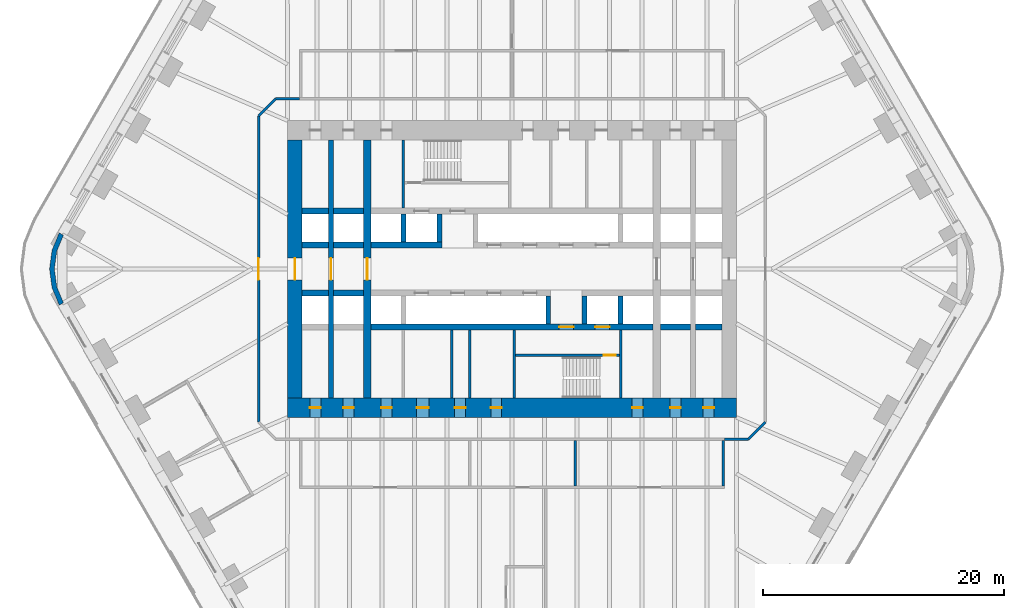
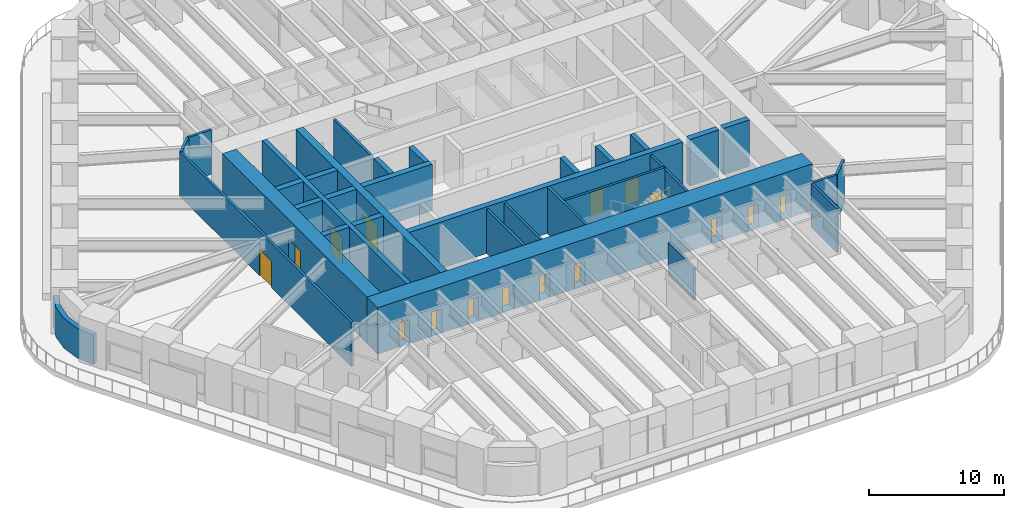
# One storey, part 17 of 23: 33 walls, 16 doors, 16 openings.
"""IFC4 building model written with IfcOpenShell, lengths in metres."""

from ifc_helpers import new_model, si_unit, direction, frame, frame_2d, origin, place, context, subcontext, project, spatial, polyline, rectangle, outline, extrude, material, layer, layer_set, type_object, element, fill, save


model = new_model("IFC4")

# Units and contexts
model_context = context("Model", 3, precision=1e-05, world=origin(), true_north=direction((0.0, 1.0)))
body_context = subcontext(model_context, "Body", "Model", "MODEL_VIEW")
ifc_project = project(units=[si_unit("LENGTHUNIT", "METRE"), si_unit("AREAUNIT", "SQUARE_METRE"), si_unit("VOLUMEUNIT", "CUBIC_METRE"), si_unit("PLANEANGLEUNIT", "RADIAN"), si_unit("MASSUNIT", "GRAM", prefix="KILO")], contexts=[model_context])

# Site, building, storey
site_placement = place(None, origin())
site = spatial("IfcSite", under=ifc_project, at=site_placement, CompositionType="ELEMENT")
building_placement = place(site_placement, origin())
building = spatial("IfcBuilding", under=site, at=building_placement, Name="Tarfa Lantern Tower", CompositionType="ELEMENT")
storey_placement = place(building_placement, frame((0.0, 0.0, 27.699951171875)))
storey = spatial("IfcBuildingStorey", under=building, at=storey_placement, Name="L05", CompositionType="ELEMENT", Elevation=27.699951171875)

# Walls
ifc_material_1 = material(Name="Limestone cladding on blockwork", Category="masonry")
ifc_layer_1 = layer(ifc_material_1, 0.39990234375)
ifc_layer_set_1 = layer_set([ifc_layer_1], Name="EW2 CURVED STONE CORNER 400")
wall_type_1 = type_object("IfcWallType", Name="EW2 CURVED STONE CORNER 400", PredefinedType="SOLIDWALL", material=ifc_layer_set_1)
wall_1_placement = place(storey_placement, origin())
element("IfcWall", 1, at=wall_1_placement, inside=storey, type_object=wall_type_1, Name="Stone corner NW-SW", PredefinedType="SOLIDWALL", context=body_context, shape_type="SweptSolid", body=[
    extrude(outline(polyline([(-37.52783203125, 3.0), (-38.127197265625, 1.552978515625), (-38.33154296875, 0.0), (-38.127197265625, -1.552978515625), (-37.52783203125, -3.0), (-37.181396484375, -2.800048828125), (-37.74072265625, -1.449462890625), (-37.931640625, 0.0), (-37.74072265625, 1.449462890625), (-37.181396484375, 2.800048828125), (-37.52783203125, 3.0)])), origin(), (0.0, 0.0, 1.0), 2.699951171875),
])
ifc_material_2 = material(Name="Concrete blockwork", Category="masonry")
ifc_layer_2 = layer(ifc_material_2, 0.199951171875)
ifc_layer_set_2 = layer_set([ifc_layer_2], Name="IW1 BLOCKWORK PARTITION 200 EI 120")
wall_type_2 = type_object("IfcWallType", Name="IW1 BLOCKWORK PARTITION 200 EI 120", PredefinedType="PARTITIONING", material=ifc_layer_set_2)
for number, where, z_axis, x_axis, name in (
    (2, (-9.0, 5.050048828125, 0.0), (0.0, 0.0, 1.0), (0.0, 1.0, 0.0), "Core partition"),
    (3, (9.0, -5.050048828125, 0.0), (0.0, 0.0, 1.0), (0.0, -1.0, 0.0), "Core partition"),
    (4, (-3.5, -5.050048828125, 0.0), (0.0, 0.0, 1.0), (0.0, -1.0, 0.0), "Core partition"),
    (5, (-5.0, -5.050048828125, 0.0), (0.0, 0.0, 1.0), (0.0, -1.0, 0.0), "Core partition"),
):
    element("IfcWall", number, at=place(storey_placement, frame(where, z_axis=z_axis, x_axis=x_axis)), inside=storey, type_object=wall_type_2, Name=name, PredefinedType="PARTITIONING", context=body_context, shape_type="SweptSolid", body=[
        extrude(rectangle(XDim=5.64990234375, YDim=0.199951171875, at=frame_2d((2.824951171875, 0.0))), origin(), (0.0, 0.0, 1.0), 4.0),
    ])
ifc_material_3 = material(Name="Gypsum board on steel studs", Category="steel")
ifc_layer_3 = layer(ifc_material_3, 0.2099609375)
ifc_layer_set_3 = layer_set([ifc_layer_3], Name="IW2 ACOUSTIC PARTITION 200")
wall_type_3 = type_object("IfcWallType", Name="IW2 ACOUSTIC PARTITION 200", PredefinedType="PARTITIONING", material=ifc_layer_set_3)
wall_2_placement = place(storey_placement, frame((17.5, -14.199951171875, 0.0), z_axis=(0.0, 0.0, 1.0), x_axis=(0.0, -1.0, 0.0)))
element("IfcWall", 6, at=wall_2_placement, inside=storey, type_object=wall_type_3, Name="Partition", PredefinedType="PARTITIONING", context=body_context, shape_type="SweptSolid", body=[
    extrude(rectangle(XDim=3.800048828125, YDim=0.199951171875, at=frame_2d((1.89990234375, 0.0))), origin(), (0.0, 0.0, 1.0), 4.0),
])
wall_3_placement = place(storey_placement, frame((5.25, -14.199951171875, 0.0), z_axis=(0.0, 0.0, 1.0), x_axis=(0.0, -1.0, 0.0)))
element("IfcWall", 7, at=wall_3_placement, inside=storey, type_object=wall_type_3, Name="Partition", PredefinedType="PARTITIONING", context=body_context, shape_type="SweptSolid", body=[
    extrude(rectangle(XDim=3.800048828125, YDim=0.199951171875, at=frame_2d((1.89990234375, 0.0))), origin(), (0.0, 0.0, 1.0), 2.944091796875),
])
wall_4_placement = place(storey_placement, frame((-19.60009765625, 14.10009765625, 0.0), z_axis=(0.0, 0.0, 1.0), x_axis=(1.0, 0.0, 0.0)))
element("IfcWall", 8, at=wall_4_placement, inside=storey, type_object=wall_type_3, Name="Partition", PredefinedType="PARTITIONING", context=body_context, shape_type="SweptSolid", body=[
    extrude(rectangle(XDim=2.0, YDim=0.199951171875, at=frame_2d((1.0, 0.0))), origin(), (0.0, 0.0, 1.0), 4.0),
])
wall_5_placement = place(storey_placement, frame((21.0, -12.699951171875, 0.0), z_axis=(0.0, 0.0, 1.0), x_axis=(-0.707045124756, -0.707168432242, 0.0)))
element("IfcWall", 9, at=wall_5_placement, inside=storey, type_object=wall_type_3, Name="Partition", PredefinedType="PARTITIONING", context=body_context, shape_type="SweptSolid", body=[
    extrude(rectangle(XDim=1.97998046875, YDim=0.199951171875, at=frame_2d((0.989990234375, 0.0))), origin(), (0.0, 0.0, 1.0), 4.0),
])
wall_6_placement = place(storey_placement, frame((19.60009765625, -14.10009765625, 0.0), z_axis=(0.0, 0.0, 1.0), x_axis=(-1.0, 0.0, 0.0)))
element("IfcWall", 10, at=wall_6_placement, inside=storey, type_object=wall_type_3, Name="Partition", PredefinedType="PARTITIONING", context=body_context, shape_type="SweptSolid", body=[
    extrude(rectangle(XDim=2.0, YDim=0.199951171875, at=frame_2d((1.0, 0.0))), origin(), (0.0, 0.0, 1.0), 4.0),
])

# Wall, opening, door
wall_7_placement = place(storey_placement, frame((-21.0, -12.699951171875, 0.0), z_axis=(0.0, 0.0, 1.0), x_axis=(0.0, 1.0, 0.0)))
wall_7 = element("IfcWall", 11, at=wall_7_placement, inside=storey, type_object=wall_type_3, Name="Partition", PredefinedType="PARTITIONING", context=body_context, shape_type="SweptSolid", body=[
    extrude(rectangle(XDim=25.39990234375, YDim=0.199951171875, at=frame_2d((12.699951171875, 0.0))), origin(), (0.0, 0.0, 1.0), 4.0),
])
opening_1_placement = place(wall_7_placement, frame((11.800048828125, 0.0, 0.0)))
opening_1 = element("IfcOpeningElement", 12, at=opening_1_placement, cuts=wall_7, Name="Opening D39", PredefinedType="OPENING", context=body_context, shape_type="SweptSolid", body=[
    extrude(rectangle(XDim=1.800048828125, YDim=2.39990234375, at=frame_2d((0.89990234375, 1.199951171875))), frame((0.0, 0.10986328125, 0.0), z_axis=(0.0, -1.0, 0.0), x_axis=(1.0, 0.0, 0.0)), (0.0, 0.0, 1.0), 0.219970703125),
])
ifc_material_4 = material(Name="Timber door", Category="wood")
door_type_1 = type_object("IfcDoorType", Name="DR2 ROOM DOOR 1800x2400", OperationType="DOUBLE_DOOR_SINGLE_SWING", PredefinedType="DOOR", material=ifc_material_4)
door_1_placement = place(opening_1_placement, origin())
door_1 = element("IfcDoor", 13, at=door_1_placement, inside=storey, type_object=door_type_1, Name="Corridor door", OperationType="DOUBLE_DOOR_SINGLE_SWING", OverallHeight=2.39990234375, OverallWidth=1.800048828125, PredefinedType="DOOR", context=body_context, shape_type="SweptSolid", body=[
    extrude(rectangle(XDim=1.800048828125, YDim=2.39990234375, at=frame_2d((0.89990234375, 1.199951171875))), frame((0.0, 0.02490234375, 0.0), z_axis=(0.0, -1.0, 0.0), x_axis=(1.0, 0.0, 0.0)), (0.0, 0.0, 1.0), 0.050048828125),
])
fill(opening_1, door_1)

# Wall
wall_8_placement = place(storey_placement, frame((-21.0, 12.699951171875, 0.0), z_axis=(0.0, 0.0, 1.0), x_axis=(0.707045124756, 0.707168432242, 0.0)))
element("IfcWall", 14, at=wall_8_placement, inside=storey, type_object=wall_type_3, Name="Partition", PredefinedType="PARTITIONING", context=body_context, shape_type="SweptSolid", body=[
    extrude(rectangle(XDim=1.97998046875, YDim=0.199951171875, at=frame_2d((0.989990234375, 0.0))), origin(), (0.0, 0.0, 1.0), 4.0),
])

# Wall, opening, door
ifc_material_5 = material(Name="Concrete C80/95", Category="concrete")
ifc_layer_4 = layer(ifc_material_5, 1.199951171875)
ifc_layer_set_4 = layer_set([ifc_layer_4], Name="SW1 CORE WALL 1200")
wall_type_4 = type_object("IfcWallType", Name="SW1 CORE WALL 1200", PredefinedType="SHEAR", material=ifc_layer_set_4)
wall_9_placement = place(storey_placement, frame((-18.0, 10.699951171875, 0.0), z_axis=(0.0, 0.0, 1.0), x_axis=(0.0, -1.0, 0.0)))
wall_9 = element("IfcWall", 15, at=wall_9_placement, inside=storey, type_object=wall_type_4, Name="Core wall W", PredefinedType="SHEAR", context=body_context, shape_type="SweptSolid", body=[
    extrude(rectangle(XDim=21.39990234375, YDim=1.199951171875, at=frame_2d((10.699951171875, 0.0))), origin(), (0.0, 0.0, 1.0), 4.199951171875),
])
opening_2_placement = place(wall_9_placement, frame((9.800048828125, 0.0, 0.0)))
opening_2 = element("IfcOpeningElement", 16, at=opening_2_placement, cuts=wall_9, Name="Opening D16", PredefinedType="OPENING", context=body_context, shape_type="SweptSolid", body=[
    extrude(rectangle(XDim=1.800048828125, YDim=2.39990234375, at=frame_2d((0.89990234375, 1.199951171875))), frame((0.0, 0.60986328125, 0.0), z_axis=(0.0, -1.0, 0.0), x_axis=(1.0, 0.0, 0.0)), (0.0, 0.0, 1.0), 1.219970703125),
])
ifc_material_6 = material(Name="Steel fire door", Category="steel")
door_type_2 = type_object("IfcDoorType", Name="DL1 LOBBY DOOR 1800x2400", OperationType="DOUBLE_DOOR_SINGLE_SWING", PredefinedType="DOOR", material=ifc_material_6)
door_2_placement = place(opening_2_placement, frame((1.800048828125, 0.0, 0.0), z_axis=(0.0, 0.0, 1.0), x_axis=(-1.0, 0.0, 0.0)))
door_2 = element("IfcDoor", 17, at=door_2_placement, inside=storey, type_object=door_type_2, Name="Lift lobby door", OperationType="DOUBLE_DOOR_SINGLE_SWING", OverallHeight=2.39990234375, OverallWidth=1.800048828125, PredefinedType="DOOR", context=body_context, shape_type="SweptSolid", body=[
    extrude(rectangle(XDim=1.800048828125, YDim=2.39990234375, at=frame_2d((0.89990234375, 1.199951171875))), frame((0.0, 0.02490234375, 0.0), z_axis=(0.0, -1.0, 0.0), x_axis=(1.0, 0.0, 0.0)), (0.0, 0.0, 1.0), 0.050048828125),
])
fill(opening_2, door_2)

# Wall
ifc_layer_5 = layer(ifc_material_5, 0.199951171875)
ifc_layer_set_5 = layer_set([ifc_layer_5], Name="SW12 CORE WALL 200")
wall_type_5 = type_object("IfcWallType", Name="SW12 CORE WALL 200", PredefinedType="SHEAR", material=ifc_layer_set_5)
wall_10_placement = place(storey_placement, frame((0.199951171875, -5.050048828125, 0.0), z_axis=(0.0, 0.0, 1.0), x_axis=(0.0, -1.0, 0.0)))
element("IfcWall", 18, at=wall_10_placement, inside=storey, type_object=wall_type_5, Name="Core wall stair shaft S", PredefinedType="SHEAR", context=body_context, shape_type="SweptSolid", body=[
    extrude(rectangle(XDim=5.64990234375, YDim=0.199951171875, at=frame_2d((2.824951171875, 0.0))), origin(), (0.0, 0.0, 1.0), 4.199951171875),
])

# Wall, opening, door
wall_11_placement = place(storey_placement, frame((8.89990234375, -7.14990234375, 0.0), z_axis=(0.0, 0.0, 1.0), x_axis=(-1.0, 0.0, 0.0)))
wall_11 = element("IfcWall", 19, at=wall_11_placement, inside=storey, type_object=wall_type_5, Name="Core wall stair partition S", PredefinedType="SHEAR", context=body_context, shape_type="SweptSolid", body=[
    extrude(rectangle(XDim=8.599853515625, YDim=0.199951171875, at=frame_2d((4.2998046875, 0.0))), origin(), (0.0, 0.0, 1.0), 4.199951171875),
])
opening_3_placement = place(wall_11_placement, frame((0.300048828125, 0.0, 0.0)))
opening_3 = element("IfcOpeningElement", 20, at=opening_3_placement, cuts=wall_11, Name="Opening D24", PredefinedType="OPENING", context=body_context, shape_type="SweptSolid", body=[
    extrude(rectangle(XDim=1.0, YDim=2.199951171875, at=frame_2d((0.5, 1.10009765625))), frame((0.0, 0.10986328125, 0.0), z_axis=(0.0, -1.0, 0.0), x_axis=(1.0, 0.0, 0.0)), (0.0, 0.0, 1.0), 0.219970703125),
])
door_type_3 = type_object("IfcDoorType", Name="DF2 STAIR DOOR 1000x2200", OperationType="SINGLE_SWING_LEFT", PredefinedType="DOOR", material=ifc_material_6)
door_3_placement = place(opening_3_placement, origin())
door_3 = element("IfcDoor", 21, at=door_3_placement, inside=storey, type_object=door_type_3, Name="Stair door", OperationType="SINGLE_SWING_RIGHT", OverallHeight=2.199951171875, OverallWidth=1.0, PredefinedType="DOOR", context=body_context, shape_type="SweptSolid", body=[
    extrude(rectangle(XDim=1.0, YDim=2.199951171875, at=frame_2d((0.5, 1.10009765625))), frame((0.0, 0.02490234375, 0.0), z_axis=(0.0, -1.0, 0.0), x_axis=(1.0, 0.0, 0.0)), (0.0, 0.0, 1.0), 0.050048828125),
])
fill(opening_3, door_3)

# Walls
ifc_layer_6 = layer(ifc_material_5, 0.5)
ifc_layer_set_6 = layer_set([ifc_layer_6], Name="SW5 CORE WALL 500")
wall_type_6 = type_object("IfcWallType", Name="SW5 CORE WALL 500", PredefinedType="SHEAR", material=ifc_layer_set_6)
wall_12_placement = place(storey_placement, frame((-17.39990234375, 2.0, 0.0), z_axis=(0.0, 0.0, 1.0), x_axis=(1.0, 0.0, 0.0)))
element("IfcWall", 22, at=wall_12_placement, inside=storey, type_object=wall_type_6, Name="Core wall lobby west N", PredefinedType="SHEAR", context=body_context, shape_type="SweptSolid", body=[
    extrude(rectangle(XDim=2.199951171875, YDim=0.5, at=frame_2d((1.10009765625, 0.0))), origin(), (0.0, 0.0, 1.0), 4.199951171875),
])
wall_13_placement = place(storey_placement, frame((-14.800048828125, 2.0, 0.0), z_axis=(0.0, 0.0, 1.0), x_axis=(1.0, 0.0, 0.0)))
element("IfcWall", 23, at=wall_13_placement, inside=storey, type_object=wall_type_6, Name="Core wall lobby west N", PredefinedType="SHEAR", context=body_context, shape_type="SweptSolid", body=[
    extrude(rectangle(XDim=2.5, YDim=0.5, at=frame_2d((1.25, 0.0))), origin(), (0.0, 0.0, 1.0), 4.199951171875),
])
wall_14_placement = place(storey_placement, frame((-11.699951171875, 2.0, 0.0), z_axis=(0.0, 0.0, 1.0), x_axis=(1.0, 0.0, 0.0)))
element("IfcWall", 24, at=wall_14_placement, inside=storey, type_object=wall_type_6, Name="Core wall lobby west N", PredefinedType="SHEAR", context=body_context, shape_type="SweptSolid", body=[
    extrude(rectangle(XDim=5.89990234375, YDim=0.5, at=frame_2d((2.949951171875, 0.0))), origin(), (0.0, 0.0, 1.0), 4.199951171875),
])
wall_15_placement = place(storey_placement, frame((-17.39990234375, 4.800048828125, 0.0), z_axis=(0.0, 0.0, 1.0), x_axis=(1.0, 0.0, 0.0)))
element("IfcWall", 25, at=wall_15_placement, inside=storey, type_object=wall_type_6, Name="Core wall rear N", PredefinedType="SHEAR", context=body_context, shape_type="SweptSolid", body=[
    extrude(rectangle(XDim=2.199951171875, YDim=0.5, at=frame_2d((1.10009765625, 0.0))), origin(), (0.0, 0.0, 1.0), 4.199951171875),
])
for number, where, z_axis, x_axis, name in (
    (26, (-14.800048828125, 4.800048828125, 0.0), (0.0, 0.0, 1.0), (1.0, 0.0, 0.0), "Core wall rear N"),
    (27, (-12.300048828125, -2.0, 0.0), (0.0, 0.0, 1.0), (-1.0, 0.0, 0.0), "Core wall lobby east S"),
):
    element("IfcWall", number, at=place(storey_placement, frame(where, z_axis=z_axis, x_axis=x_axis)), inside=storey, type_object=wall_type_6, Name=name, PredefinedType="SHEAR", context=body_context, shape_type="SweptSolid", body=[
        extrude(rectangle(XDim=2.5, YDim=0.5, at=frame_2d((1.25, 0.0))), origin(), (0.0, 0.0, 1.0), 4.199951171875),
    ])
for number, where, z_axis, x_axis, name in (
    (28, (-15.199951171875, -2.0, 0.0), (0.0, 0.0, 1.0), (-1.0, 0.0, 0.0), "Core wall lobby east S"),
    (29, (17.39990234375, -4.800048828125, 0.0), (0.0, 0.0, 1.0), (-1.0, 0.0, 0.0), "Core wall rear S"),
):
    element("IfcWall", number, at=place(storey_placement, frame(where, z_axis=z_axis, x_axis=x_axis)), inside=storey, type_object=wall_type_6, Name=name, PredefinedType="SHEAR", context=body_context, shape_type="SweptSolid", body=[
        extrude(rectangle(XDim=2.199951171875, YDim=0.5, at=frame_2d((1.10009765625, 0.0))), origin(), (0.0, 0.0, 1.0), 4.199951171875),
    ])
wall_16_placement = place(storey_placement, frame((14.800048828125, -4.800048828125, 0.0), z_axis=(0.0, 0.0, 1.0), x_axis=(-1.0, 0.0, 0.0)))
element("IfcWall", 30, at=wall_16_placement, inside=storey, type_object=wall_type_6, Name="Core wall rear S", PredefinedType="SHEAR", context=body_context, shape_type="SweptSolid", body=[
    extrude(rectangle(XDim=2.5, YDim=0.5, at=frame_2d((1.25, 0.0))), origin(), (0.0, 0.0, 1.0), 4.199951171875),
])

# Wall, openings, doors
wall_17_placement = place(storey_placement, frame((11.699951171875, -4.800048828125, 0.0), z_axis=(0.0, 0.0, 1.0), x_axis=(-1.0, 0.0, 0.0)))
wall_17 = element("IfcWall", 31, at=wall_17_placement, inside=storey, type_object=wall_type_6, Name="Core wall rear S", PredefinedType="SHEAR", context=body_context, shape_type="SweptSolid", body=[
    extrude(rectangle(XDim=23.39990234375, YDim=0.5, at=frame_2d((11.699951171875, 0.0))), origin(), (0.0, 0.0, 1.0), 4.199951171875),
])
opening_4_placement = place(wall_17_placement, frame((6.60009765625, 0.0, 0.0)))
opening_4 = element("IfcOpeningElement", 32, at=opening_4_placement, cuts=wall_17, Name="Opening D14", PredefinedType="OPENING", context=body_context, shape_type="SweptSolid", body=[
    extrude(rectangle(XDim=1.199951171875, YDim=2.199951171875, at=frame_2d((0.60009765625, 1.10009765625))), frame((0.0, 0.260009765625, 0.0), z_axis=(0.0, -1.0, 0.0), x_axis=(1.0, 0.0, 0.0)), (0.0, 0.0, 1.0), 0.52001953125),
])
opening_5_placement = place(wall_17_placement, frame((3.60009765625, 0.0, 0.0)))
opening_5 = element("IfcOpeningElement", 33, at=opening_5_placement, cuts=wall_17, Name="Opening LD02", PredefinedType="OPENING", context=body_context, shape_type="SweptSolid", body=[
    extrude(rectangle(XDim=1.199951171875, YDim=2.199951171875, at=frame_2d((0.60009765625, 1.10009765625))), frame((0.0, 0.260009765625, 0.0), z_axis=(0.0, -1.0, 0.0), x_axis=(1.0, 0.0, 0.0)), (0.0, 0.0, 1.0), 0.52001953125),
])
door_type_4 = type_object("IfcDoorType", Name="DF1 FIREFIGHTING LOBBY DOOR 1200x2200", OperationType="SINGLE_SWING_LEFT", PredefinedType="DOOR", material=ifc_material_6)
door_4_placement = place(opening_4_placement, origin())
door_4 = element("IfcDoor", 34, at=door_4_placement, inside=storey, type_object=door_type_4, Name="Firefighting lobby door", OperationType="SINGLE_SWING_LEFT", OverallHeight=2.199951171875, OverallWidth=1.199951171875, PredefinedType="DOOR", context=body_context, shape_type="SweptSolid", body=[
    extrude(rectangle(XDim=1.199951171875, YDim=2.199951171875, at=frame_2d((0.60009765625, 1.10009765625))), frame((0.0, 0.02490234375, 0.0), z_axis=(0.0, -1.0, 0.0), x_axis=(1.0, 0.0, 0.0)), (0.0, 0.0, 1.0), 0.050048828125),
])
fill(opening_4, door_4)
ifc_material_7 = material(Name="Stainless steel lift door", Category="steel")
door_type_5 = type_object("IfcDoorType", Name="LD1 LIFT LANDING DOOR 1200x2200", OperationType="SLIDING_TO_LEFT", PredefinedType="DOOR", material=ifc_material_7)
door_5_placement = place(opening_5_placement, origin())
door_5 = element("IfcDoor", 35, at=door_5_placement, inside=storey, type_object=door_type_5, Name="Landing door FL2", OperationType="SLIDING_TO_LEFT", OverallHeight=2.199951171875, OverallWidth=1.199951171875, PredefinedType="DOOR", context=body_context, shape_type="SweptSolid", body=[
    extrude(rectangle(XDim=1.199951171875, YDim=2.199951171875, at=frame_2d((0.60009765625, 1.10009765625))), frame((0.0, 0.02490234375, 0.0), z_axis=(0.0, -1.0, 0.0), x_axis=(1.0, 0.0, 0.0)), (0.0, 0.0, 1.0), 0.050048828125),
])
fill(opening_5, door_5)

# Wall, opening, door
ifc_layer_7 = layer(ifc_material_5, 0.39990234375)
ifc_layer_set_7 = layer_set([ifc_layer_7], Name="SW6 CORE WALL 400")
wall_type_7 = type_object("IfcWallType", Name="SW6 CORE WALL 400", PredefinedType="SHEAR", material=ifc_layer_set_7)
wall_18_placement = place(storey_placement, frame((-15.0, -10.699951171875, 0.0), z_axis=(0.0, 0.0, 1.0), x_axis=(0.0, 1.0, 0.0)))
wall_18 = element("IfcWall", 36, at=wall_18_placement, inside=storey, type_object=wall_type_7, Name="Core wall cross 15 m west", PredefinedType="SHEAR", context=body_context, shape_type="SweptSolid", body=[
    extrude(rectangle(XDim=21.39990234375, YDim=0.39990234375, at=frame_2d((10.699951171875, 0.0))), origin(), (0.0, 0.0, 1.0), 4.199951171875),
])
opening_6_placement = place(wall_18_placement, frame((9.800048828125, 0.0, 0.0)))
opening_6 = element("IfcOpeningElement", 37, at=opening_6_placement, cuts=wall_18, Name="Opening D28", PredefinedType="OPENING", context=body_context, shape_type="SweptSolid", body=[
    extrude(rectangle(XDim=1.800048828125, YDim=2.39990234375, at=frame_2d((0.89990234375, 1.199951171875))), frame((0.0, 0.2099609375, 0.0), z_axis=(0.0, -1.0, 0.0), x_axis=(1.0, 0.0, 0.0)), (0.0, 0.0, 1.0), 0.419921875),
])
door_6_placement = place(opening_6_placement, origin())
door_6 = element("IfcDoor", 38, at=door_6_placement, inside=storey, type_object=door_type_2, Name="Lift lobby door", OperationType="DOUBLE_DOOR_SINGLE_SWING", OverallHeight=2.39990234375, OverallWidth=1.800048828125, PredefinedType="DOOR", context=body_context, shape_type="SweptSolid", body=[
    extrude(rectangle(XDim=1.800048828125, YDim=2.39990234375, at=frame_2d((0.89990234375, 1.199951171875))), frame((0.0, 0.02490234375, 0.0), z_axis=(0.0, -1.0, 0.0), x_axis=(1.0, 0.0, 0.0)), (0.0, 0.0, 1.0), 0.050048828125),
])
fill(opening_6, door_6)

# Walls
for number, where, z_axis, x_axis, name in (
    (39, (-9.0, 2.25, 0.0), (0.0, 0.0, 1.0), (0.0, 1.0, 0.0), "Core wall divider N"),
    (40, (-6.0, 2.25, 0.0), (0.0, 0.0, 1.0), (0.0, 1.0, 0.0), "Core wall divider N"),
    (41, (9.0, -2.25, 0.0), (0.0, 0.0, 1.0), (0.0, -1.0, 0.0), "Core wall divider S"),
    (42, (6.0, -2.25, 0.0), (0.0, 0.0, 1.0), (0.0, -1.0, 0.0), "Core wall divider S"),
    (43, (3.0, -2.25, 0.0), (0.0, 0.0, 1.0), (0.0, -1.0, 0.0), "Core wall divider S"),
):
    element("IfcWall", number, at=place(storey_placement, frame(where, z_axis=z_axis, x_axis=x_axis)), inside=storey, type_object=wall_type_7, Name=name, PredefinedType="SHEAR", context=body_context, shape_type="SweptSolid", body=[
        extrude(rectangle(XDim=2.300048828125, YDim=0.39990234375, at=frame_2d((1.14990234375, 0.0))), origin(), (0.0, 0.0, 1.0), 4.199951171875),
    ])

# Wall, openings, doors
ifc_layer_8 = layer(ifc_material_5, 1.60009765625)
ifc_layer_set_8 = layer_set([ifc_layer_8], Name="SW7 CORE WALL 1600")
wall_type_8 = type_object("IfcWallType", Name="SW7 CORE WALL 1600", PredefinedType="SHEAR", material=ifc_layer_set_8)
wall_19_placement = place(storey_placement, frame((18.60009765625, -11.5, 0.0), z_axis=(0.0, 0.0, 1.0), x_axis=(-1.0, 0.0, 0.0)))
wall_19 = element("IfcWall", 44, at=wall_19_placement, inside=storey, type_object=wall_type_8, Name="Core wall S", PredefinedType="SHEAR", context=body_context, shape_type="SweptSolid", body=[
    extrude(rectangle(XDim=37.2001953125, YDim=1.60009765625, at=frame_2d((18.60009765625, 0.0))), origin(), (0.0, 0.0, 1.0), 4.199951171875),
])
opening_7_placement = place(wall_19_placement, frame((19.449951171875, 0.0, 0.0)))
opening_7 = element("IfcOpeningElement", 45, at=opening_7_placement, cuts=wall_19, Name="Opening D18", PredefinedType="OPENING", context=body_context, shape_type="SweptSolid", body=[
    extrude(rectangle(XDim=0.89990234375, YDim=2.199951171875, at=frame_2d((0.449951171875, 1.10009765625))), frame((0.0, 0.81005859375, 0.0), z_axis=(0.0, -1.0, 0.0), x_axis=(1.0, 0.0, 0.0)), (0.0, 0.0, 1.0), 1.6201171875),
])
opening_8_placement = place(wall_19_placement, frame((22.449951171875, 0.0, 0.0)))
opening_8 = element("IfcOpeningElement", 46, at=opening_8_placement, cuts=wall_19, Name="Opening D20", PredefinedType="OPENING", context=body_context, shape_type="SweptSolid", body=[
    extrude(rectangle(XDim=0.89990234375, YDim=2.199951171875, at=frame_2d((0.449951171875, 1.10009765625))), frame((0.0, 0.81005859375, 0.0), z_axis=(0.0, -1.0, 0.0), x_axis=(1.0, 0.0, 0.0)), (0.0, 0.0, 1.0), 1.6201171875),
])
opening_9_placement = place(wall_19_placement, frame((25.5, 0.0, 0.0)))
opening_9 = element("IfcOpeningElement", 47, at=opening_9_placement, cuts=wall_19, Name="Opening D22", PredefinedType="OPENING", context=body_context, shape_type="SweptSolid", body=[
    extrude(rectangle(XDim=1.0, YDim=2.199951171875, at=frame_2d((0.5, 1.10009765625))), frame((0.0, 0.81005859375, 0.0), z_axis=(0.0, -1.0, 0.0), x_axis=(1.0, 0.0, 0.0)), (0.0, 0.0, 1.0), 1.6201171875),
])
opening_10_placement = place(wall_19_placement, frame((1.85009765625, 0.0, 0.0)))
opening_10 = element("IfcOpeningElement", 48, at=opening_10_placement, cuts=wall_19, Name="Opening D12", PredefinedType="OPENING", context=body_context, shape_type="SweptSolid", body=[
    extrude(rectangle(XDim=0.89990234375, YDim=2.199951171875, at=frame_2d((0.449951171875, 1.10009765625))), frame((0.0, 0.81005859375, 0.0), z_axis=(0.0, -1.0, 0.0), x_axis=(1.0, 0.0, 0.0)), (0.0, 0.0, 1.0), 1.6201171875),
])
opening_11_placement = place(wall_19_placement, frame((4.60009765625, 0.0, 0.0)))
opening_11 = element("IfcOpeningElement", 49, at=opening_11_placement, cuts=wall_19, Name="Opening D08", PredefinedType="OPENING", context=body_context, shape_type="SweptSolid", body=[
    extrude(rectangle(XDim=0.89990234375, YDim=2.199951171875, at=frame_2d((0.449951171875, 1.10009765625))), frame((0.0, 0.81005859375, 0.0), z_axis=(0.0, -1.0, 0.0), x_axis=(1.0, 0.0, 0.0)), (0.0, 0.0, 1.0), 1.6201171875),
])
opening_12_placement = place(wall_19_placement, frame((7.75, 0.0, 0.0)))
opening_12 = element("IfcOpeningElement", 50, at=opening_12_placement, cuts=wall_19, Name="Opening D10", PredefinedType="OPENING", context=body_context, shape_type="SweptSolid", body=[
    extrude(rectangle(XDim=0.89990234375, YDim=2.199951171875, at=frame_2d((0.449951171875, 1.10009765625))), frame((0.0, 0.81005859375, 0.0), z_axis=(0.0, -1.0, 0.0), x_axis=(1.0, 0.0, 0.0)), (0.0, 0.0, 1.0), 1.6201171875),
])
opening_13_placement = place(wall_19_placement, frame((28.550048828125, 0.0, 0.0)))
opening_13 = element("IfcOpeningElement", 51, at=opening_13_placement, cuts=wall_19, Name="Opening D06", PredefinedType="OPENING", context=body_context, shape_type="SweptSolid", body=[
    extrude(rectangle(XDim=0.89990234375, YDim=2.199951171875, at=frame_2d((0.449951171875, 1.10009765625))), frame((0.0, 0.81005859375, 0.0), z_axis=(0.0, -1.0, 0.0), x_axis=(1.0, 0.0, 0.0)), (0.0, 0.0, 1.0), 1.6201171875),
])
opening_14_placement = place(wall_19_placement, frame((31.699951171875, 0.0, 0.0)))
opening_14 = element("IfcOpeningElement", 52, at=opening_14_placement, cuts=wall_19, Name="Opening D02", PredefinedType="OPENING", context=body_context, shape_type="SweptSolid", body=[
    extrude(rectangle(XDim=0.89990234375, YDim=2.199951171875, at=frame_2d((0.449951171875, 1.10009765625))), frame((0.0, 0.81005859375, 0.0), z_axis=(0.0, -1.0, 0.0), x_axis=(1.0, 0.0, 0.0)), (0.0, 0.0, 1.0), 1.6201171875),
])
opening_15_placement = place(wall_19_placement, frame((34.449951171875, 0.0, 0.0)))
opening_15 = element("IfcOpeningElement", 53, at=opening_15_placement, cuts=wall_19, Name="Opening D04", PredefinedType="OPENING", context=body_context, shape_type="SweptSolid", body=[
    extrude(rectangle(XDim=0.89990234375, YDim=2.199951171875, at=frame_2d((0.449951171875, 1.10009765625))), frame((0.0, 0.81005859375, 0.0), z_axis=(0.0, -1.0, 0.0), x_axis=(1.0, 0.0, 0.0)), (0.0, 0.0, 1.0), 1.6201171875),
])
door_type_6 = type_object("IfcDoorType", Name="DF3 CORE ROOM DOOR 900x2200", OperationType="SINGLE_SWING_LEFT", PredefinedType="DOOR", material=ifc_material_6)
door_7_placement = place(opening_7_placement, frame((0.89990234375, 0.0, 0.0), z_axis=(0.0, 0.0, 1.0), x_axis=(-1.0, 0.0, 0.0)))
door_7 = element("IfcDoor", 54, at=door_7_placement, inside=storey, type_object=door_type_6, Name="Core door", OperationType="SINGLE_SWING_LEFT", OverallHeight=2.199951171875, OverallWidth=0.89990234375, PredefinedType="DOOR", context=body_context, shape_type="SweptSolid", body=[
    extrude(rectangle(XDim=0.89990234375, YDim=2.199951171875, at=frame_2d((0.449951171875, 1.10009765625))), frame((0.0, 0.02490234375, 0.0), z_axis=(0.0, -1.0, 0.0), x_axis=(1.0, 0.0, 0.0)), (0.0, 0.0, 1.0), 0.050048828125),
])
fill(opening_7, door_7)
door_8_placement = place(opening_8_placement, frame((0.89990234375, 0.0, 0.0), z_axis=(0.0, 0.0, 1.0), x_axis=(-1.0, 0.0, 0.0)))
door_8 = element("IfcDoor", 55, at=door_8_placement, inside=storey, type_object=door_type_6, Name="Core door", OperationType="SINGLE_SWING_RIGHT", OverallHeight=2.199951171875, OverallWidth=0.89990234375, PredefinedType="DOOR", context=body_context, shape_type="SweptSolid", body=[
    extrude(rectangle(XDim=0.89990234375, YDim=2.199951171875, at=frame_2d((0.449951171875, 1.10009765625))), frame((0.0, 0.02490234375, 0.0), z_axis=(0.0, -1.0, 0.0), x_axis=(1.0, 0.0, 0.0)), (0.0, 0.0, 1.0), 0.050048828125),
])
fill(opening_8, door_8)
door_type_7 = type_object("IfcDoorType", Name="DF4 CORE ROOM DOOR 1000x2200", OperationType="SINGLE_SWING_LEFT", PredefinedType="DOOR", material=ifc_material_6)
door_9_placement = place(opening_9_placement, frame((1.0, 0.0, 0.0), z_axis=(0.0, 0.0, 1.0), x_axis=(-1.0, 0.0, 0.0)))
door_9 = element("IfcDoor", 56, at=door_9_placement, inside=storey, type_object=door_type_7, Name="Core door", OperationType="SINGLE_SWING_RIGHT", OverallHeight=2.199951171875, OverallWidth=1.0, PredefinedType="DOOR", context=body_context, shape_type="SweptSolid", body=[
    extrude(rectangle(XDim=1.0, YDim=2.199951171875, at=frame_2d((0.5, 1.10009765625))), frame((0.0, 0.02490234375, 0.0), z_axis=(0.0, -1.0, 0.0), x_axis=(1.0, 0.0, 0.0)), (0.0, 0.0, 1.0), 0.050048828125),
])
fill(opening_9, door_9)
door_type_8 = type_object("IfcDoorType", Name="DF5 RISER DOOR 900x2200", OperationType="SINGLE_SWING_LEFT", PredefinedType="DOOR", material=ifc_material_6)
door_10_placement = place(opening_10_placement, frame((0.89990234375, 0.0, 0.0), z_axis=(0.0, 0.0, 1.0), x_axis=(-1.0, 0.0, 0.0)))
door_10 = element("IfcDoor", 57, at=door_10_placement, inside=storey, type_object=door_type_8, Name="Riser door", OperationType="SINGLE_SWING_LEFT", OverallHeight=2.199951171875, OverallWidth=0.89990234375, PredefinedType="DOOR", context=body_context, shape_type="SweptSolid", body=[
    extrude(rectangle(XDim=0.89990234375, YDim=2.199951171875, at=frame_2d((0.449951171875, 1.10009765625))), frame((0.0, 0.02490234375, 0.0), z_axis=(0.0, -1.0, 0.0), x_axis=(1.0, 0.0, 0.0)), (0.0, 0.0, 1.0), 0.050048828125),
])
fill(opening_10, door_10)
door_11_placement = place(opening_11_placement, frame((0.89990234375, 0.0, 0.0), z_axis=(0.0, 0.0, 1.0), x_axis=(-1.0, 0.0, 0.0)))
door_11 = element("IfcDoor", 58, at=door_11_placement, inside=storey, type_object=door_type_8, Name="Riser door", OperationType="SINGLE_SWING_LEFT", OverallHeight=2.199951171875, OverallWidth=0.89990234375, PredefinedType="DOOR", context=body_context, shape_type="SweptSolid", body=[
    extrude(rectangle(XDim=0.89990234375, YDim=2.199951171875, at=frame_2d((0.449951171875, 1.10009765625))), frame((0.0, 0.02490234375, 0.0), z_axis=(0.0, -1.0, 0.0), x_axis=(1.0, 0.0, 0.0)), (0.0, 0.0, 1.0), 0.050048828125),
])
fill(opening_11, door_11)
door_12_placement = place(opening_12_placement, frame((0.89990234375, 0.0, 0.0), z_axis=(0.0, 0.0, 1.0), x_axis=(-1.0, 0.0, 0.0)))
door_12 = element("IfcDoor", 59, at=door_12_placement, inside=storey, type_object=door_type_8, Name="Riser door", OperationType="SINGLE_SWING_LEFT", OverallHeight=2.199951171875, OverallWidth=0.89990234375, PredefinedType="DOOR", context=body_context, shape_type="SweptSolid", body=[
    extrude(rectangle(XDim=0.89990234375, YDim=2.199951171875, at=frame_2d((0.449951171875, 1.10009765625))), frame((0.0, 0.02490234375, 0.0), z_axis=(0.0, -1.0, 0.0), x_axis=(1.0, 0.0, 0.0)), (0.0, 0.0, 1.0), 0.050048828125),
])
fill(opening_12, door_12)
door_13_placement = place(opening_13_placement, frame((0.89990234375, 0.0, 0.0), z_axis=(0.0, 0.0, 1.0), x_axis=(-1.0, 0.0, 0.0)))
door_13 = element("IfcDoor", 60, at=door_13_placement, inside=storey, type_object=door_type_8, Name="Riser door", OperationType="SINGLE_SWING_RIGHT", OverallHeight=2.199951171875, OverallWidth=0.89990234375, PredefinedType="DOOR", context=body_context, shape_type="SweptSolid", body=[
    extrude(rectangle(XDim=0.89990234375, YDim=2.199951171875, at=frame_2d((0.449951171875, 1.10009765625))), frame((0.0, 0.02490234375, 0.0), z_axis=(0.0, -1.0, 0.0), x_axis=(1.0, 0.0, 0.0)), (0.0, 0.0, 1.0), 0.050048828125),
])
fill(opening_13, door_13)
door_14_placement = place(opening_14_placement, frame((0.89990234375, 0.0, 0.0), z_axis=(0.0, 0.0, 1.0), x_axis=(-1.0, 0.0, 0.0)))
door_14 = element("IfcDoor", 61, at=door_14_placement, inside=storey, type_object=door_type_8, Name="Riser door", OperationType="SINGLE_SWING_RIGHT", OverallHeight=2.199951171875, OverallWidth=0.89990234375, PredefinedType="DOOR", context=body_context, shape_type="SweptSolid", body=[
    extrude(rectangle(XDim=0.89990234375, YDim=2.199951171875, at=frame_2d((0.449951171875, 1.10009765625))), frame((0.0, 0.02490234375, 0.0), z_axis=(0.0, -1.0, 0.0), x_axis=(1.0, 0.0, 0.0)), (0.0, 0.0, 1.0), 0.050048828125),
])
fill(opening_14, door_14)
door_15_placement = place(opening_15_placement, frame((0.89990234375, 0.0, 0.0), z_axis=(0.0, 0.0, 1.0), x_axis=(-1.0, 0.0, 0.0)))
door_15 = element("IfcDoor", 62, at=door_15_placement, inside=storey, type_object=door_type_8, Name="Riser door", OperationType="SINGLE_SWING_RIGHT", OverallHeight=2.199951171875, OverallWidth=0.89990234375, PredefinedType="DOOR", context=body_context, shape_type="SweptSolid", body=[
    extrude(rectangle(XDim=0.89990234375, YDim=2.199951171875, at=frame_2d((0.449951171875, 1.10009765625))), frame((0.0, 0.02490234375, 0.0), z_axis=(0.0, -1.0, 0.0), x_axis=(1.0, 0.0, 0.0)), (0.0, 0.0, 1.0), 0.050048828125),
])
fill(opening_15, door_15)

# Wall, opening, door
ifc_layer_9 = layer(ifc_material_5, 0.60009765625)
ifc_layer_set_9 = layer_set([ifc_layer_9], Name="SW9 CORE WALL 600")
wall_type_9 = type_object("IfcWallType", Name="SW9 CORE WALL 600", PredefinedType="SHEAR", material=ifc_layer_set_9)
wall_20_placement = place(storey_placement, frame((-12.0, -10.699951171875, 0.0), z_axis=(0.0, 0.0, 1.0), x_axis=(0.0, 1.0, 0.0)))
wall_20 = element("IfcWall", 63, at=wall_20_placement, inside=storey, type_object=wall_type_9, Name="Core wall cross 12 m west", PredefinedType="SHEAR", context=body_context, shape_type="SweptSolid", body=[
    extrude(rectangle(XDim=21.39990234375, YDim=0.60009765625, at=frame_2d((10.699951171875, 0.0))), origin(), (0.0, 0.0, 1.0), 4.199951171875),
])
opening_16_placement = place(wall_20_placement, frame((9.800048828125, 0.0, 0.0)))
opening_16 = element("IfcOpeningElement", 64, at=opening_16_placement, cuts=wall_20, Name="Opening D27", PredefinedType="OPENING", context=body_context, shape_type="SweptSolid", body=[
    extrude(rectangle(XDim=1.800048828125, YDim=2.39990234375, at=frame_2d((0.89990234375, 1.199951171875))), frame((0.0, 0.31005859375, 0.0), z_axis=(0.0, -1.0, 0.0), x_axis=(1.0, 0.0, 0.0)), (0.0, 0.0, 1.0), 0.6201171875),
])
door_16_placement = place(opening_16_placement, origin())
door_16 = element("IfcDoor", 65, at=door_16_placement, inside=storey, type_object=door_type_2, Name="Lift lobby door", OperationType="DOUBLE_DOOR_SINGLE_SWING", OverallHeight=2.39990234375, OverallWidth=1.800048828125, PredefinedType="DOOR", context=body_context, shape_type="SweptSolid", body=[
    extrude(rectangle(XDim=1.800048828125, YDim=2.39990234375, at=frame_2d((0.89990234375, 1.199951171875))), frame((0.0, 0.02490234375, 0.0), z_axis=(0.0, -1.0, 0.0), x_axis=(1.0, 0.0, 0.0)), (0.0, 0.0, 1.0), 0.050048828125),
])
fill(opening_16, door_16)

save(model, "model.ifc")
